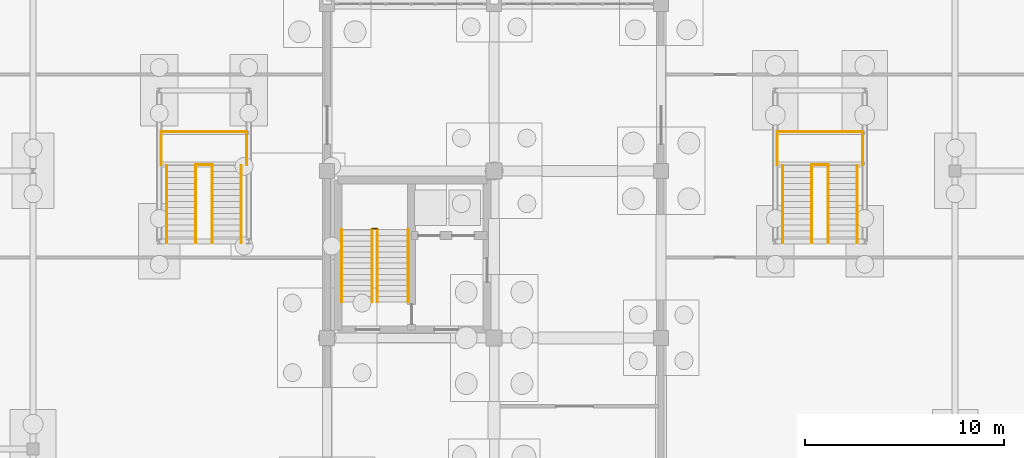
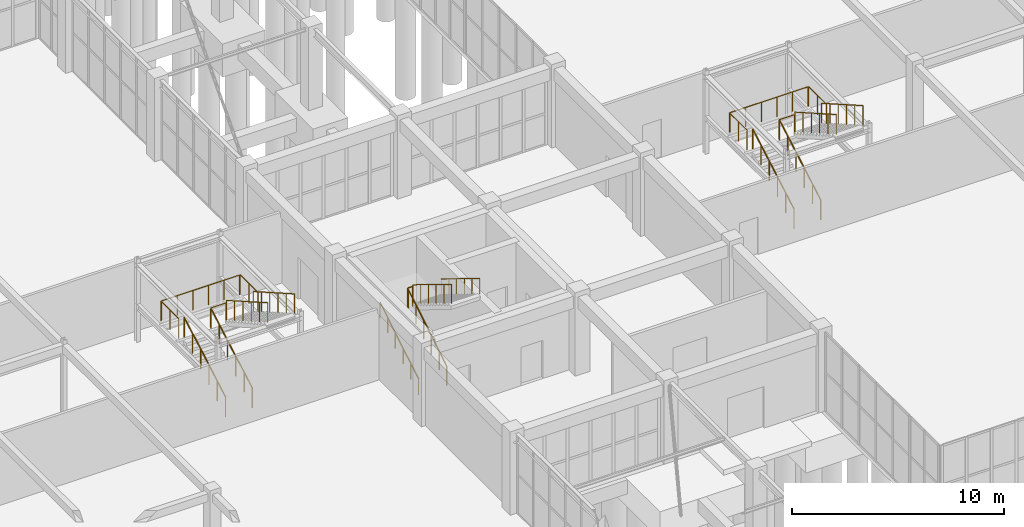
# One storey, part 182 of 192: 21 railings.
"""IFC4 building model written with IfcOpenShell, lengths in metres."""

from ifc_helpers import new_model, si_unit, direction, frame, origin, origin_2d, place, context, subcontext, project, spatial, circle, extrude, material, type_object, element, save


model = new_model("IFC4")

# Units and contexts
model_context = context("Model", 3, precision=1e-05, world=origin(), true_north=direction((0.0, 1.0)))
body_context = subcontext(model_context, "Body", "Model", "MODEL_VIEW")
ifc_project = project(units=[si_unit("LENGTHUNIT", "METRE"), si_unit("AREAUNIT", "SQUARE_METRE"), si_unit("VOLUMEUNIT", "CUBIC_METRE"), si_unit("PLANEANGLEUNIT", "RADIAN"), si_unit("MASSUNIT", "GRAM", prefix="KILO")], contexts=[model_context])

# Site, building, storey
site_placement = place(None, origin())
site = spatial("IfcSite", under=ifc_project, at=site_placement, CompositionType="ELEMENT")
building_placement = place(site_placement, origin())
building = spatial("IfcBuilding", under=site, at=building_placement, Name="Trelvath General Hospital", CompositionType="ELEMENT")
storey_placement = place(building_placement, origin())
storey = spatial("IfcBuildingStorey", under=building, at=storey_placement, Name="L00", CompositionType="ELEMENT", Elevation=0.0)

# Railings
ifc_material_1 = material(Name="Architectural painted steel", Category="steel")
railing_type_1 = type_object("IfcRailingType", Name="Guardrail Terrace1150", PredefinedType="GUARDRAIL", material=ifc_material_1)
railing_1_placement = place(storey_placement, frame((78.1298828125, 55.840087890625, 2.5712890625)))
element("IfcRailing", 1, at=railing_1_placement, inside=storey, type_object=railing_type_1, Name="Stair Rail ST6 L00 F2 L 194", PredefinedType="GUARDRAIL", context=body_context, shape_type="SweptSolid", body=[
    extrude(circle(Radius=0.02392578125, at=origin_2d()), frame((0.0, 0.0, 1.076171875), z_axis=(0.0, -0.852840387347, 0.522171689878), x_axis=(1.0, 0.0, 0.0)), (0.0, 0.0, 1.0), 4.268310546875),
    extrude(circle(Radius=0.02099609375, at=origin_2d()), origin(), (0.0, 0.0, 1.0), 1.050048828125),
    extrude(circle(Radius=0.02099609375, at=origin_2d()), frame((0.0, -0.72802734375, 0.44580078125)), (0.0, 0.0, 1.0), 1.050048828125),
    extrude(circle(Radius=0.02099609375, at=origin_2d()), frame((0.0, -1.4560546875, 0.8916015625)), (0.0, 0.0, 1.0), 1.050048828125),
    extrude(circle(Radius=0.02099609375, at=origin_2d()), frame((0.0, -2.18408203125, 1.337158203125)), (0.0, 0.0, 1.0), 1.050048828125),
    extrude(circle(Radius=0.02099609375, at=origin_2d()), frame((0.0, -2.912109375, 1.782958984375)), (0.0, 0.0, 1.0), 1.050048828125),
    extrude(circle(Radius=0.02099609375, at=origin_2d()), frame((0.0, -3.64013671875, 2.228759765625)), (0.0, 0.0, 1.0), 1.050048828125),
])
railing_2_placement = place(storey_placement, frame((77.8701171875, 52.199951171875, 0.17138671875)))
element("IfcRailing", 2, at=railing_2_placement, inside=storey, type_object=railing_type_1, Name="Stair Rail ST6 L00 F1 R 195", PredefinedType="GUARDRAIL", context=body_context, shape_type="SweptSolid", body=[
    extrude(circle(Radius=0.02392578125, at=origin_2d()), frame((0.0, 0.0, 1.076171875), z_axis=(0.0, 0.852865859571, 0.52213008492), x_axis=(-1.0, 0.0, 0.0)), (0.0, 0.0, 1.0), 4.26806640625),
    extrude(circle(Radius=0.02099609375, at=origin_2d()), origin(), (0.0, 0.0, 1.0), 1.050048828125),
    extrude(circle(Radius=0.02099609375, at=origin_2d()), frame((0.0, 0.72802734375, 0.44580078125)), (0.0, 0.0, 1.0), 1.050048828125),
    extrude(circle(Radius=0.02099609375, at=origin_2d()), frame((0.0, 1.4560546875, 0.891357421875)), (0.0, 0.0, 1.0), 1.050048828125),
    extrude(circle(Radius=0.02099609375, at=origin_2d()), frame((0.0, 2.18408203125, 1.337158203125)), (0.0, 0.0, 1.0), 1.050048828125),
    extrude(circle(Radius=0.02099609375, at=origin_2d()), frame((0.0, 2.912109375, 1.78271484375)), (0.0, 0.0, 1.0), 1.050048828125),
    extrude(circle(Radius=0.02099609375, at=origin_2d()), frame((0.0, 3.64013671875, 2.228515625)), (0.0, 0.0, 1.0), 1.050048828125),
])
railing_3_placement = place(storey_placement, frame((77.8701171875, 55.8798828125, 2.39990234375)))
element("IfcRailing", 3, at=railing_3_placement, inside=storey, type_object=railing_type_1, Name="Half-Landing Well Guard ST6 L00 197", PredefinedType="GUARDRAIL", context=body_context, shape_type="SweptSolid", body=[
    extrude(circle(Radius=0.02392578125, at=origin_2d()), frame((0.0, 0.0, 1.1259765625), z_axis=(1.0, 0.0, 0.0), x_axis=(0.0, 1.0, 0.0)), (0.0, 0.0, 1.0), 0.259765625),
    extrude(circle(Radius=0.02099609375, at=origin_2d()), origin(), (0.0, 0.0, 1.0), 1.099853515625),
    extrude(circle(Radius=0.02099609375, at=origin_2d()), frame((0.259765625, 0.0, 0.0)), (0.0, 0.0, 1.0), 1.099853515625),
])
for number, where, name in (
    (4, (67.52001953125, 55.169921875, 0.17138671875), "Cube Stair Flight Guard ST9 L00 259"),
    (5, (68.97998046875, 55.169921875, 0.17138671875), "Cube Stair Flight Guard ST9 L00 260"),
):
    element("IfcRailing", number, at=place(storey_placement, frame(where)), inside=storey, type_object=railing_type_1, Name=name, PredefinedType="GUARDRAIL", context=body_context, shape_type="SweptSolid", body=[
        extrude(circle(Radius=0.02392578125, at=origin_2d()), frame((0.0, 0.0, 1.1259765625), z_axis=(0.0, 0.868256520506, 0.496115525457), x_axis=(-1.0, 0.0, 0.0)), (0.0, 0.0, 1.0), 4.491943359375),
        extrude(circle(Radius=0.02099609375, at=origin_2d()), origin(), (0.0, 0.0, 1.0), 1.099853515625),
        extrude(circle(Radius=0.02099609375, at=origin_2d()), frame((0.0, 0.780029296875, 0.44580078125)), (0.0, 0.0, 1.0), 1.099853515625),
        extrude(circle(Radius=0.02099609375, at=origin_2d()), frame((0.0, 1.56005859375, 0.891357421875)), (0.0, 0.0, 1.0), 1.099853515625),
        extrude(circle(Radius=0.02099609375, at=origin_2d()), frame((0.0, 2.340087890625, 1.337158203125)), (0.0, 0.0, 1.0), 1.099853515625),
        extrude(circle(Radius=0.02099609375, at=origin_2d()), frame((0.0, 3.1201171875, 1.78271484375)), (0.0, 0.0, 1.0), 1.099853515625),
        extrude(circle(Radius=0.02099609375, at=origin_2d()), frame((0.0, 3.900146484375, 2.228515625)), (0.0, 0.0, 1.0), 1.099853515625),
    ])
for number, where, name in (
    (6, (69.820068359375, 59.070068359375, 2.5712890625), "Cube Stair Flight Guard ST9 L00 261"),
    (7, (71.280029296875, 59.070068359375, 2.5712890625), "Cube Stair Flight Guard ST9 L00 262"),
):
    element("IfcRailing", number, at=place(storey_placement, frame(where)), inside=storey, type_object=railing_type_1, Name=name, PredefinedType="GUARDRAIL", context=body_context, shape_type="SweptSolid", body=[
        extrude(circle(Radius=0.02392578125, at=origin_2d()), frame((0.0, 0.0, 1.1259765625), z_axis=(0.0, -0.868233108195, 0.496156497321), x_axis=(1.0, 0.0, 0.0)), (0.0, 0.0, 1.0), 4.491943359375),
        extrude(circle(Radius=0.02099609375, at=origin_2d()), origin(), (0.0, 0.0, 1.0), 1.099853515625),
        extrude(circle(Radius=0.02099609375, at=origin_2d()), frame((0.0, -0.780029296875, 0.44580078125)), (0.0, 0.0, 1.0), 1.099853515625),
        extrude(circle(Radius=0.02099609375, at=origin_2d()), frame((0.0, -1.56005859375, 0.8916015625)), (0.0, 0.0, 1.0), 1.099853515625),
        extrude(circle(Radius=0.02099609375, at=origin_2d()), frame((0.0, -2.340087890625, 1.337158203125)), (0.0, 0.0, 1.0), 1.099853515625),
        extrude(circle(Radius=0.02099609375, at=origin_2d()), frame((0.0, -3.1201171875, 1.782958984375)), (0.0, 0.0, 1.0), 1.099853515625),
        extrude(circle(Radius=0.02099609375, at=origin_2d()), frame((0.0, -3.900146484375, 2.228759765625)), (0.0, 0.0, 1.0), 1.099853515625),
    ])
railing_4_placement = place(storey_placement, frame((67.239990234375, 59.110107421875, 2.39990234375)))
element("IfcRailing", 8, at=railing_4_placement, inside=storey, type_object=railing_type_1, Name="Cube Half-Landing Guard W ST9 L00 263", PredefinedType="GUARDRAIL", context=body_context, shape_type="SweptSolid", body=[
    extrude(circle(Radius=0.02392578125, at=origin_2d()), frame((0.0, 0.0, 1.1259765625), z_axis=(0.0, 1.0, 0.0), x_axis=(-1.0, 0.0, 0.0)), (0.0, 0.0, 1.0), 1.669921875),
    extrude(circle(Radius=0.02099609375, at=origin_2d()), origin(), (0.0, 0.0, 1.0), 1.099853515625),
    extrude(circle(Radius=0.02099609375, at=origin_2d()), frame((0.0, 0.8349609375, 0.0)), (0.0, 0.0, 1.0), 1.099853515625),
    extrude(circle(Radius=0.02099609375, at=origin_2d()), frame((0.0, 1.669921875, 0.0)), (0.0, 0.0, 1.0), 1.099853515625),
])
railing_5_placement = place(storey_placement, frame((67.280029296875, 60.780029296875, 2.39990234375)))
element("IfcRailing", 9, at=railing_5_placement, inside=storey, type_object=railing_type_1, Name="Cube Half-Landing Guard N ST9 L00 264", PredefinedType="GUARDRAIL", context=body_context, shape_type="SweptSolid", body=[
    extrude(circle(Radius=0.02392578125, at=origin_2d()), frame((0.0, 0.0, 1.1259765625), z_axis=(1.0, 0.0, 0.0), x_axis=(0.0, 1.0, 0.0)), (0.0, 0.0, 1.0), 4.239990234375),
    extrude(circle(Radius=0.02099609375, at=origin_2d()), origin(), (0.0, 0.0, 1.0), 1.099853515625),
    extrude(circle(Radius=0.02099609375, at=origin_2d()), frame((0.847900390625, 0.0, 0.0)), (0.0, 0.0, 1.0), 1.099853515625),
    extrude(circle(Radius=0.02099609375, at=origin_2d()), frame((1.696044921875, 0.0, 0.0)), (0.0, 0.0, 1.0), 1.099853515625),
    extrude(circle(Radius=0.02099609375, at=origin_2d()), frame((2.5439453125, 0.0, 0.0)), (0.0, 0.0, 1.0), 1.099853515625),
    extrude(circle(Radius=0.02099609375, at=origin_2d()), frame((3.39208984375, 0.0, 0.0)), (0.0, 0.0, 1.0), 1.099853515625),
    extrude(circle(Radius=0.02099609375, at=origin_2d()), frame((4.239990234375, 0.0, 0.0)), (0.0, 0.0, 1.0), 1.099853515625),
])
railing_6_placement = place(storey_placement, frame((71.56005859375, 59.110107421875, 2.39990234375)))
element("IfcRailing", 10, at=railing_6_placement, inside=storey, type_object=railing_type_1, Name="Cube Half-Landing Guard E ST9 L00 265", PredefinedType="GUARDRAIL", context=body_context, shape_type="SweptSolid", body=[
    extrude(circle(Radius=0.02392578125, at=origin_2d()), frame((0.0, 0.0, 1.1259765625), z_axis=(0.0, 1.0, 0.0), x_axis=(-1.0, 0.0, 0.0)), (0.0, 0.0, 1.0), 1.669921875),
    extrude(circle(Radius=0.02099609375, at=origin_2d()), origin(), (0.0, 0.0, 1.0), 1.099853515625),
    extrude(circle(Radius=0.02099609375, at=origin_2d()), frame((0.0, 0.8349609375, 0.0)), (0.0, 0.0, 1.0), 1.099853515625),
    extrude(circle(Radius=0.02099609375, at=origin_2d()), frame((0.0, 1.669921875, 0.0)), (0.0, 0.0, 1.0), 1.099853515625),
])
railing_7_placement = place(storey_placement, frame((68.97998046875, 59.110107421875, 2.39990234375)))
element("IfcRailing", 11, at=railing_7_placement, inside=storey, type_object=railing_type_1, Name="Cube Half-Landing Slot Guard ST9 L00 266", PredefinedType="GUARDRAIL", context=body_context, shape_type="SweptSolid", body=[
    extrude(circle(Radius=0.02392578125, at=origin_2d()), frame((0.0, 0.0, 1.1259765625), z_axis=(1.0, 0.0, 0.0), x_axis=(0.0, 1.0, 0.0)), (0.0, 0.0, 1.0), 0.840087890625),
    extrude(circle(Radius=0.02099609375, at=origin_2d()), origin(), (0.0, 0.0, 1.0), 1.099853515625),
    extrude(circle(Radius=0.02099609375, at=origin_2d()), frame((0.840087890625, 0.0, 0.0)), (0.0, 0.0, 1.0), 1.099853515625),
])
for number, where, name in (
    (12, (98.52001953125, 55.169921875, 0.17138671875), "Cube Stair Flight Guard ST10 L00 267"),
    (13, (99.97998046875, 55.169921875, 0.17138671875), "Cube Stair Flight Guard ST10 L00 268"),
):
    element("IfcRailing", number, at=place(storey_placement, frame(where)), inside=storey, type_object=railing_type_1, Name=name, PredefinedType="GUARDRAIL", context=body_context, shape_type="SweptSolid", body=[
        extrude(circle(Radius=0.02392578125, at=origin_2d()), frame((0.0, 0.0, 1.1259765625), z_axis=(0.0, 0.868256520506, 0.496115525457), x_axis=(-1.0, 0.0, 0.0)), (0.0, 0.0, 1.0), 4.491943359375),
        extrude(circle(Radius=0.02099609375, at=origin_2d()), origin(), (0.0, 0.0, 1.0), 1.099853515625),
        extrude(circle(Radius=0.02099609375, at=origin_2d()), frame((0.0, 0.780029296875, 0.44580078125)), (0.0, 0.0, 1.0), 1.099853515625),
        extrude(circle(Radius=0.02099609375, at=origin_2d()), frame((0.0, 1.56005859375, 0.891357421875)), (0.0, 0.0, 1.0), 1.099853515625),
        extrude(circle(Radius=0.02099609375, at=origin_2d()), frame((0.0, 2.340087890625, 1.337158203125)), (0.0, 0.0, 1.0), 1.099853515625),
        extrude(circle(Radius=0.02099609375, at=origin_2d()), frame((0.0, 3.1201171875, 1.78271484375)), (0.0, 0.0, 1.0), 1.099853515625),
        extrude(circle(Radius=0.02099609375, at=origin_2d()), frame((0.0, 3.900146484375, 2.228515625)), (0.0, 0.0, 1.0), 1.099853515625),
    ])
for number, where, name in (
    (14, (100.820068359375, 59.070068359375, 2.5712890625), "Cube Stair Flight Guard ST10 L00 269"),
    (15, (102.280029296875, 59.070068359375, 2.5712890625), "Cube Stair Flight Guard ST10 L00 270"),
):
    element("IfcRailing", number, at=place(storey_placement, frame(where)), inside=storey, type_object=railing_type_1, Name=name, PredefinedType="GUARDRAIL", context=body_context, shape_type="SweptSolid", body=[
        extrude(circle(Radius=0.02392578125, at=origin_2d()), frame((0.0, 0.0, 1.1259765625), z_axis=(0.0, -0.868233108195, 0.496156497321), x_axis=(1.0, 0.0, 0.0)), (0.0, 0.0, 1.0), 4.491943359375),
        extrude(circle(Radius=0.02099609375, at=origin_2d()), origin(), (0.0, 0.0, 1.0), 1.099853515625),
        extrude(circle(Radius=0.02099609375, at=origin_2d()), frame((0.0, -0.780029296875, 0.44580078125)), (0.0, 0.0, 1.0), 1.099853515625),
        extrude(circle(Radius=0.02099609375, at=origin_2d()), frame((0.0, -1.56005859375, 0.8916015625)), (0.0, 0.0, 1.0), 1.099853515625),
        extrude(circle(Radius=0.02099609375, at=origin_2d()), frame((0.0, -2.340087890625, 1.337158203125)), (0.0, 0.0, 1.0), 1.099853515625),
        extrude(circle(Radius=0.02099609375, at=origin_2d()), frame((0.0, -3.1201171875, 1.782958984375)), (0.0, 0.0, 1.0), 1.099853515625),
        extrude(circle(Radius=0.02099609375, at=origin_2d()), frame((0.0, -3.900146484375, 2.228759765625)), (0.0, 0.0, 1.0), 1.099853515625),
    ])
railing_8_placement = place(storey_placement, frame((98.239990234375, 59.110107421875, 2.39990234375)))
element("IfcRailing", 16, at=railing_8_placement, inside=storey, type_object=railing_type_1, Name="Cube Half-Landing Guard W ST10 L00 271", PredefinedType="GUARDRAIL", context=body_context, shape_type="SweptSolid", body=[
    extrude(circle(Radius=0.02392578125, at=origin_2d()), frame((0.0, 0.0, 1.1259765625), z_axis=(0.0, 1.0, 0.0), x_axis=(-1.0, 0.0, 0.0)), (0.0, 0.0, 1.0), 1.669921875),
    extrude(circle(Radius=0.02099609375, at=origin_2d()), origin(), (0.0, 0.0, 1.0), 1.099853515625),
    extrude(circle(Radius=0.02099609375, at=origin_2d()), frame((0.0, 0.8349609375, 0.0)), (0.0, 0.0, 1.0), 1.099853515625),
    extrude(circle(Radius=0.02099609375, at=origin_2d()), frame((0.0, 1.669921875, 0.0)), (0.0, 0.0, 1.0), 1.099853515625),
])
railing_9_placement = place(storey_placement, frame((98.280029296875, 60.780029296875, 2.39990234375)))
element("IfcRailing", 17, at=railing_9_placement, inside=storey, type_object=railing_type_1, Name="Cube Half-Landing Guard N ST10 L00 272", PredefinedType="GUARDRAIL", context=body_context, shape_type="SweptSolid", body=[
    extrude(circle(Radius=0.02392578125, at=origin_2d()), frame((0.0, 0.0, 1.1259765625), z_axis=(1.0, 0.0, 0.0), x_axis=(0.0, 1.0, 0.0)), (0.0, 0.0, 1.0), 4.239990234375),
    extrude(circle(Radius=0.02099609375, at=origin_2d()), origin(), (0.0, 0.0, 1.0), 1.099853515625),
    extrude(circle(Radius=0.02099609375, at=origin_2d()), frame((0.847900390625, 0.0, 0.0)), (0.0, 0.0, 1.0), 1.099853515625),
    extrude(circle(Radius=0.02099609375, at=origin_2d()), frame((1.696044921875, 0.0, 0.0)), (0.0, 0.0, 1.0), 1.099853515625),
    extrude(circle(Radius=0.02099609375, at=origin_2d()), frame((2.5439453125, 0.0, 0.0)), (0.0, 0.0, 1.0), 1.099853515625),
    extrude(circle(Radius=0.02099609375, at=origin_2d()), frame((3.39208984375, 0.0, 0.0)), (0.0, 0.0, 1.0), 1.099853515625),
    extrude(circle(Radius=0.02099609375, at=origin_2d()), frame((4.239990234375, 0.0, 0.0)), (0.0, 0.0, 1.0), 1.099853515625),
])
railing_10_placement = place(storey_placement, frame((102.56005859375, 59.110107421875, 2.39990234375)))
element("IfcRailing", 18, at=railing_10_placement, inside=storey, type_object=railing_type_1, Name="Cube Half-Landing Guard E ST10 L00 273", PredefinedType="GUARDRAIL", context=body_context, shape_type="SweptSolid", body=[
    extrude(circle(Radius=0.02392578125, at=origin_2d()), frame((0.0, 0.0, 1.1259765625), z_axis=(0.0, 1.0, 0.0), x_axis=(-1.0, 0.0, 0.0)), (0.0, 0.0, 1.0), 1.669921875),
    extrude(circle(Radius=0.02099609375, at=origin_2d()), origin(), (0.0, 0.0, 1.0), 1.099853515625),
    extrude(circle(Radius=0.02099609375, at=origin_2d()), frame((0.0, 0.8349609375, 0.0)), (0.0, 0.0, 1.0), 1.099853515625),
    extrude(circle(Radius=0.02099609375, at=origin_2d()), frame((0.0, 1.669921875, 0.0)), (0.0, 0.0, 1.0), 1.099853515625),
])
railing_11_placement = place(storey_placement, frame((99.97998046875, 59.110107421875, 2.39990234375)))
element("IfcRailing", 19, at=railing_11_placement, inside=storey, type_object=railing_type_1, Name="Cube Half-Landing Slot Guard ST10 L00 274", PredefinedType="GUARDRAIL", context=body_context, shape_type="SweptSolid", body=[
    extrude(circle(Radius=0.02392578125, at=origin_2d()), frame((0.0, 0.0, 1.1259765625), z_axis=(1.0, 0.0, 0.0), x_axis=(0.0, 1.0, 0.0)), (0.0, 0.0, 1.0), 0.840087890625),
    extrude(circle(Radius=0.02099609375, at=origin_2d()), origin(), (0.0, 0.0, 1.0), 1.099853515625),
    extrude(circle(Radius=0.02099609375, at=origin_2d()), frame((0.840087890625, 0.0, 0.0)), (0.0, 0.0, 1.0), 1.099853515625),
])
ifc_material_2 = material(Name="Brushed stainless steel", Category="steel")
railing_type_2 = type_object("IfcRailingType", Name="Handrail Stair900", PredefinedType="HANDRAIL", material=ifc_material_2)
railing_12_placement = place(storey_placement, frame((76.330078125, 52.199951171875, 0.17138671875)))
element("IfcRailing", 20, at=railing_12_placement, inside=storey, type_object=railing_type_2, Name="Stair Rail ST6 L00 F1 L 193", PredefinedType="HANDRAIL", context=body_context, shape_type="SweptSolid", body=[
    extrude(circle(Radius=0.02392578125, at=origin_2d()), frame((0.0, 0.0, 0.8759765625), z_axis=(0.0, 0.852865859571, 0.52213008492), x_axis=(-1.0, 0.0, 0.0)), (0.0, 0.0, 1.0), 4.26806640625),
    extrude(circle(Radius=0.02099609375, at=origin_2d()), origin(), (0.0, 0.0, 1.0), 0.849853515625),
    extrude(circle(Radius=0.02099609375, at=origin_2d()), frame((0.0, 0.72802734375, 0.44580078125)), (0.0, 0.0, 1.0), 0.849853515625),
    extrude(circle(Radius=0.02099609375, at=origin_2d()), frame((0.0, 1.4560546875, 0.891357421875)), (0.0, 0.0, 1.0), 0.849853515625),
    extrude(circle(Radius=0.02099609375, at=origin_2d()), frame((0.0, 2.18408203125, 1.337158203125)), (0.0, 0.0, 1.0), 0.849853515625),
    extrude(circle(Radius=0.02099609375, at=origin_2d()), frame((0.0, 2.912109375, 1.78271484375)), (0.0, 0.0, 1.0), 0.849853515625),
    extrude(circle(Radius=0.02099609375, at=origin_2d()), frame((0.0, 3.64013671875, 2.228515625)), (0.0, 0.0, 1.0), 0.849853515625),
])
railing_13_placement = place(storey_placement, frame((79.669921875, 55.840087890625, 2.5712890625)))
element("IfcRailing", 21, at=railing_13_placement, inside=storey, type_object=railing_type_2, Name="Stair Rail ST6 L00 F2 R 196", PredefinedType="HANDRAIL", context=body_context, shape_type="SweptSolid", body=[
    extrude(circle(Radius=0.02392578125, at=origin_2d()), frame((0.0, 0.0, 0.8759765625), z_axis=(0.0, -0.852840387347, 0.522171689878), x_axis=(1.0, 0.0, 0.0)), (0.0, 0.0, 1.0), 4.268310546875),
    extrude(circle(Radius=0.02099609375, at=origin_2d()), origin(), (0.0, 0.0, 1.0), 0.849853515625),
    extrude(circle(Radius=0.02099609375, at=origin_2d()), frame((0.0, -0.72802734375, 0.44580078125)), (0.0, 0.0, 1.0), 0.849853515625),
    extrude(circle(Radius=0.02099609375, at=origin_2d()), frame((0.0, -1.4560546875, 0.8916015625)), (0.0, 0.0, 1.0), 0.849853515625),
    extrude(circle(Radius=0.02099609375, at=origin_2d()), frame((0.0, -2.18408203125, 1.337158203125)), (0.0, 0.0, 1.0), 0.849853515625),
    extrude(circle(Radius=0.02099609375, at=origin_2d()), frame((0.0, -2.912109375, 1.782958984375)), (0.0, 0.0, 1.0), 0.849853515625),
    extrude(circle(Radius=0.02099609375, at=origin_2d()), frame((0.0, -3.64013671875, 2.228759765625)), (0.0, 0.0, 1.0), 0.849853515625),
])

save(model, "model.ifc")
